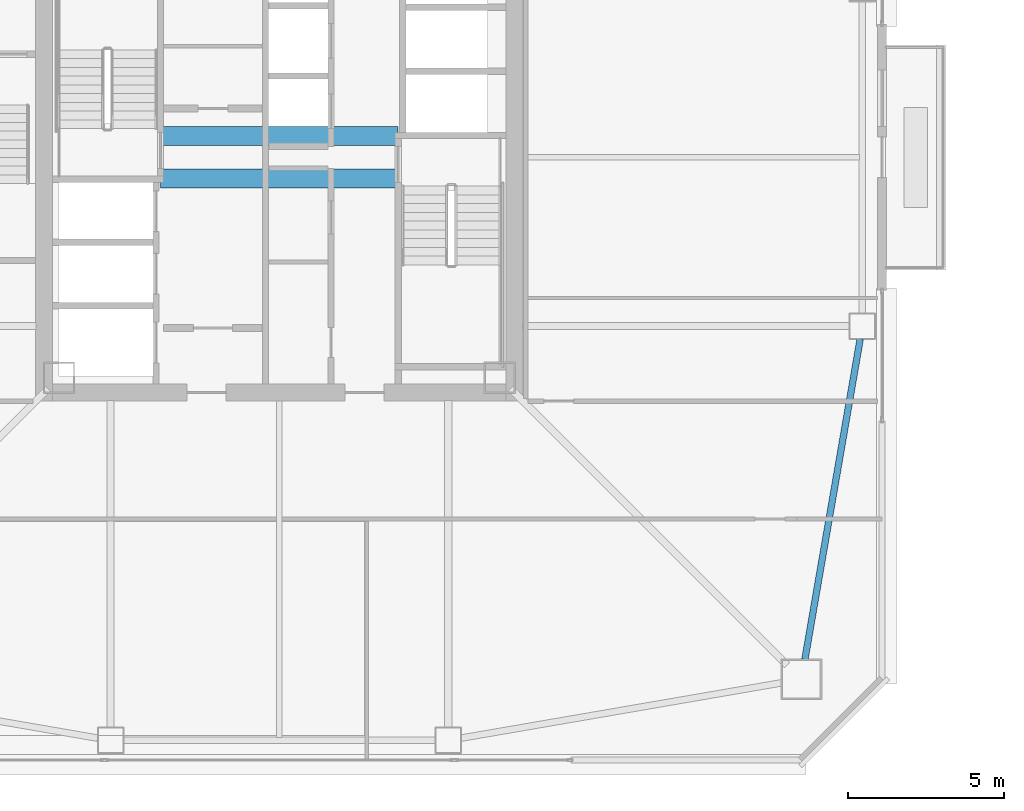
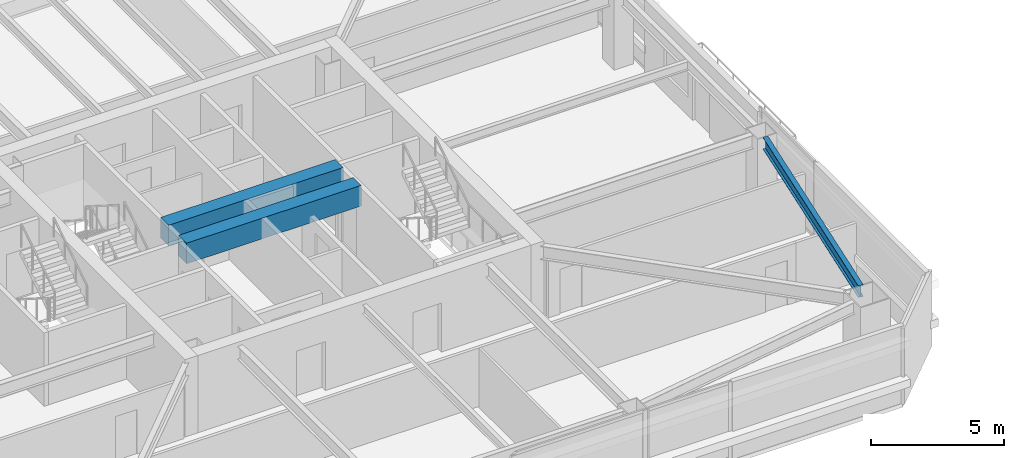
# One storey, part 9 of 40: 3 beams.
"""IFC4 building model written with IfcOpenShell, lengths in metres."""

from ifc_helpers import new_model, si_unit, direction, frame, origin, origin_2d, place, context, subcontext, project, spatial, rectangle, i_section, extrude, material, material_profile, profile_set, type_object, element, save


model = new_model("IFC4")

# Units and contexts
model_context = context("Model", 3, precision=1e-05, world=origin(), true_north=direction((0.0, 1.0)))
body_context = subcontext(model_context, "Body", "Model", "MODEL_VIEW")
ifc_project = project(units=[si_unit("LENGTHUNIT", "METRE"), si_unit("AREAUNIT", "SQUARE_METRE"), si_unit("VOLUMEUNIT", "CUBIC_METRE"), si_unit("PLANEANGLEUNIT", "RADIAN"), si_unit("MASSUNIT", "GRAM", prefix="KILO")], contexts=[model_context])

# Site, building, storey
site_placement = place(None, origin())
site = spatial("IfcSite", under=ifc_project, at=site_placement, CompositionType="ELEMENT")
building_placement = place(site_placement, origin())
building = spatial("IfcBuilding", under=site, at=building_placement, Name="Tashvorn Skyway Center", CompositionType="ELEMENT")
storey_placement = place(building_placement, frame((0.0, 0.0, 142.800048828125)))
storey = spatial("IfcBuildingStorey", under=building, at=storey_placement, Name="L38", CompositionType="ELEMENT", Elevation=142.800048828125)

# Beams
ifc_material_1 = material(Name="Concrete C60/75", Category="concrete")
ifc_material_profile_1 = material_profile(ifc_material_1, rectangle(XDim=0.60009765625, YDim=0.949951171875, at=origin_2d()), Name="RCB600x950")
ifc_profile_set_1 = profile_set([ifc_material_profile_1], Name="Concrete C60/75")
beam_type_1 = type_object("IfcBeamType", Name="BM-LINTEL-RCB600x950", PredefinedType="LINTEL", material=ifc_profile_set_1)
for number, where, z_axis, x_axis, name in (
    (1, (38.199951171875, 32.679931640625, 2.89501953125), (1.0, 0.0, 0.0), (0.0, 1.0, 0.0), "Tower 1 L38 Core Coupling Beam CN"),
    (2, (38.199951171875, 31.320068359375, 2.89501953125), (1.0, 0.0, 0.0), (0.0, 1.0, 0.0), "Tower 1 L38 Core Coupling Beam CS"),
):
    element("IfcBeam", number, at=place(storey_placement, frame(where, z_axis=z_axis, x_axis=x_axis)), inside=storey, type_object=beam_type_1, Name=name, PredefinedType="LINTEL", context=body_context, shape_type="SweptSolid", body=[
        extrude(rectangle(XDim=0.60009765625, YDim=0.949951171875, at=origin_2d()), origin(), (0.0, 0.0, 1.0), 7.60009765625),
    ])
ifc_material_2 = material(Name="Steel ASTM A992 Grade 50", Category="steel")
ifc_material_profile_2 = material_profile(ifc_material_2, i_section(OverallWidth=0.2109375, OverallDepth=0.5390625, WebThickness=0.01171875, FlangeThickness=0.018798828125, at=origin_2d()), Name="W21X73")
ifc_profile_set_2 = profile_set([ifc_material_profile_2], Name="Steel ASTM A992 Grade 50")
beam_type_2 = type_object("IfcBeamType", Name="BM-SPANDREL-W21X73", PredefinedType="SPANDREL", material=ifc_profile_set_2)
beam_placement = place(storey_placement, frame((58.8095703125, 15.935546875, 3.100341796875), z_axis=(0.170067250846, 0.985432458462, 0.0), x_axis=(-0.985432458462, 0.170067250846, 0.0)))
element("IfcBeam", 3, at=beam_placement, inside=storey, type_object=beam_type_2, Name="Tower 1 L38 Spandrel Beam 04", PredefinedType="SPANDREL", context=body_context, shape_type="SweptSolid", body=[
    extrude(i_section(OverallWidth=0.2109375, OverallDepth=0.5390625, WebThickness=0.01171875, FlangeThickness=0.018798828125, at=origin_2d()), origin(), (0.0, 0.0, 1.0), 10.402099609375),
])

save(model, "model.ifc")
